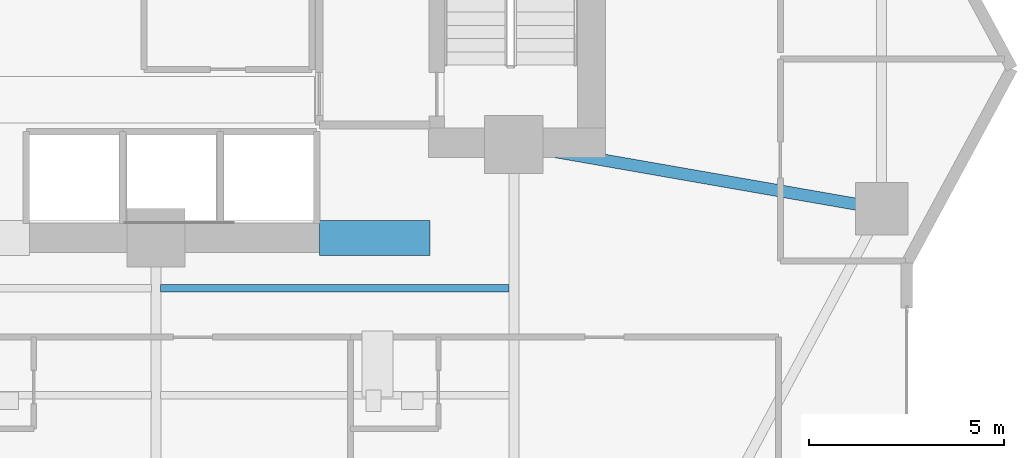
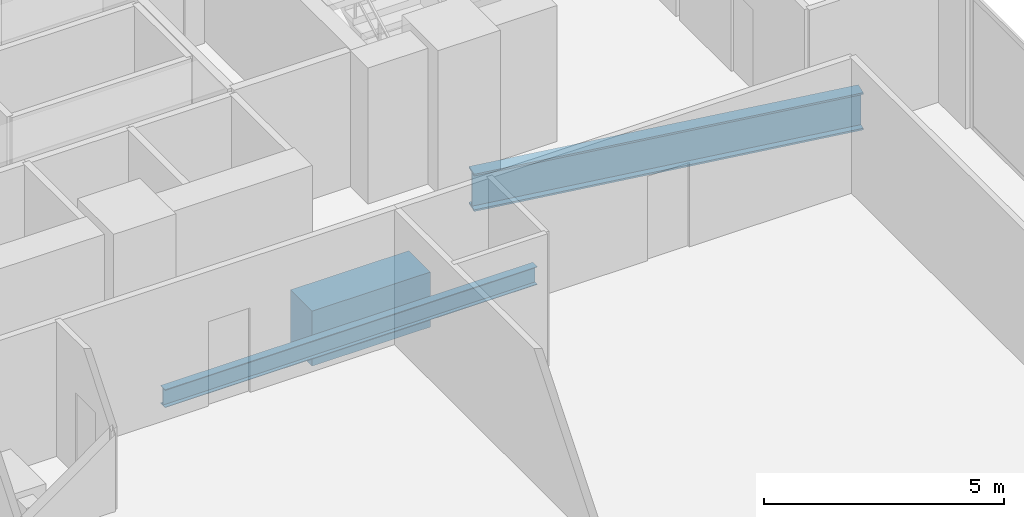
# One storey, part 12 of 28: 3 beams.
"""IFC4 building model written with IfcOpenShell, lengths in metres."""

from ifc_helpers import new_model, si_unit, direction, frame, origin, origin_2d, place, context, subcontext, project, spatial, rectangle, i_section, extrude, material, material_profile, profile_set, type_object, element, save


model = new_model("IFC4")

# Units and contexts
model_context = context("Model", 3, precision=1e-05, world=origin(), true_north=direction((0.0, 1.0)))
body_context = subcontext(model_context, "Body", "Model", "MODEL_VIEW")
ifc_project = project(units=[si_unit("LENGTHUNIT", "METRE"), si_unit("AREAUNIT", "SQUARE_METRE"), si_unit("VOLUMEUNIT", "CUBIC_METRE"), si_unit("PLANEANGLEUNIT", "RADIAN"), si_unit("MASSUNIT", "GRAM", prefix="KILO")], contexts=[model_context])

# Site, building, storey
site_placement = place(None, origin())
site = spatial("IfcSite", under=ifc_project, at=site_placement, CompositionType="ELEMENT")
building_placement = place(site_placement, origin())
building = spatial("IfcBuilding", under=site, at=building_placement, Name="Zuhayl Quay Hotel", CompositionType="ELEMENT")
storey_placement = place(building_placement, frame((0.0, 0.0, 146.75)))
storey = spatial("IfcBuildingStorey", under=building, at=storey_placement, Name="L37", CompositionType="ELEMENT", Elevation=146.75)

# Beams
ifc_material_1 = material(Name="Concrete C60/75", Category="concrete")
ifc_material_profile_1 = material_profile(ifc_material_1, rectangle(XDim=0.89990234375, YDim=1.39990234375, at=origin_2d()), Name="RC900X1400")
ifc_profile_set_1 = profile_set([ifc_material_profile_1], Name="Concrete C60/75")
beam_type_1 = type_object("IfcBeamType", Name="BM_CB1_RC900", PredefinedType="T_BEAM", material=ifc_profile_set_1)
beam_1_placement = place(storey_placement, frame((8.800048828125, 2.14990234375, -0.919921875), z_axis=(1.0, 0.0, 0.0), x_axis=(0.0, 1.0, 0.0)))
element("IfcBeam", 1, at=beam_1_placement, inside=storey, type_object=beam_type_1, Name="L37 Core Coupling Beam SE", PredefinedType="T_BEAM", context=body_context, shape_type="SweptSolid", body=[
    extrude(rectangle(XDim=0.89990234375, YDim=1.39990234375, at=origin_2d()), origin(), (0.0, 0.0, 1.0), 2.849853515625),
])
ifc_material_2 = material(Name="Steel ASTM A992 Grade 50", Category="steel")
ifc_material_profile_2 = material_profile(ifc_material_2, i_section(OverallWidth=0.18994140625, OverallDepth=0.45703125, WebThickness=0.009033203125, FlangeThickness=0.014404296875, at=origin_2d()), Name="W18X50")
ifc_profile_set_2 = profile_set([ifc_material_profile_2], Name="Steel ASTM A992 Grade 50")
beam_type_2 = type_object("IfcBeamType", Name="BM_J2_W18X50", PredefinedType="JOIST", material=ifc_profile_set_2)
beam_2_placement = place(storey_placement, frame((4.718994140625, 0.85009765625, -0.448486328125), z_axis=(1.0, 0.0, 0.0), x_axis=(0.0, 1.0, 0.0)))
element("IfcBeam", 2, at=beam_2_placement, inside=storey, type_object=beam_type_2, Name="L37 Floor Beam FJ_L37_9_3", PredefinedType="JOIST", context=body_context, shape_type="SweptSolid", body=[
    extrude(i_section(OverallWidth=0.18994140625, OverallDepth=0.45703125, WebThickness=0.009033203125, FlangeThickness=0.014404296875, at=origin_2d()), origin(), (0.0, 0.0, 1.0), 8.9619140625),
])
ifc_material_profile_3 = material_profile(ifc_material_2, i_section(OverallWidth=0.31005859375, OverallDepth=0.949951171875, WebThickness=0.0244140625, FlangeThickness=0.0439453125, at=origin_2d()), Name="W36X256")
ifc_profile_set_3 = profile_set([ifc_material_profile_3], Name="Steel ASTM A992 Grade 50")
beam_type_3 = type_object("IfcBeamType", Name="BM_PG1_W36X256", PredefinedType="BEAM", material=ifc_profile_set_3)
beam_3_placement = place(storey_placement, frame((14.243408203125, 4.47265625, -0.695068359375), z_axis=(0.985097302632, -0.171997977741, 0.0), x_axis=(0.171997977741, 0.985097302632, 0.0)))
element("IfcBeam", 3, at=beam_3_placement, inside=storey, type_object=beam_type_3, Name="L37 Floor Beam FG_E_L37_1", PredefinedType="BEAM", context=body_context, shape_type="SweptSolid", body=[
    extrude(i_section(OverallWidth=0.31005859375, OverallDepth=0.949951171875, WebThickness=0.0244140625, FlangeThickness=0.0439453125, at=origin_2d()), origin(), (0.0, 0.0, 1.0), 8.64306640625),
])

save(model, "model.ifc")
